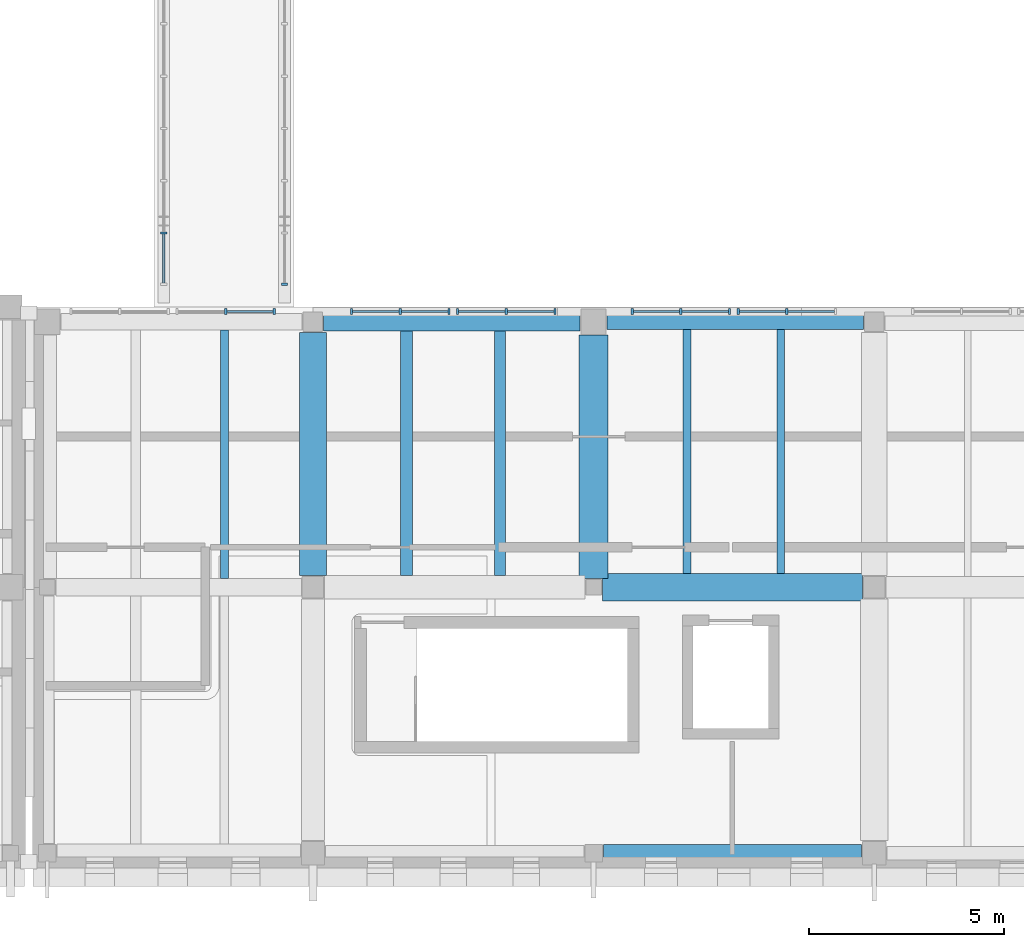
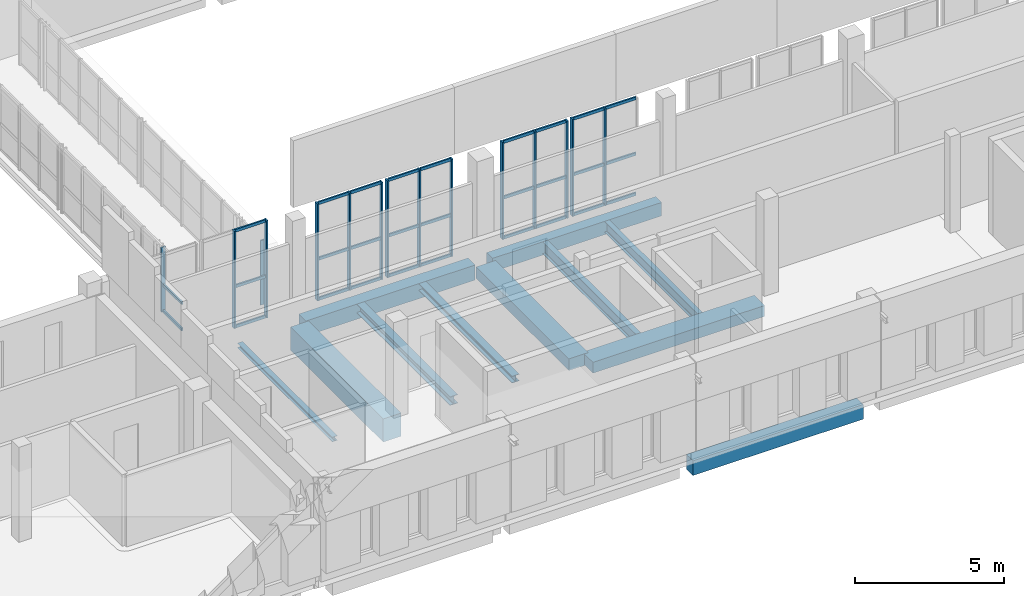
# One storey, part 11 of 76: 44 members, 11 beams, 7 elements without a shape of their own.
"""IFC4 building model written with IfcOpenShell, lengths in metres."""

from ifc_helpers import new_model, si_unit, direction, frame, origin, origin_2d, place, context, subcontext, project, spatial, rectangle, i_section, extrude, material, layer, layer_set, material_profile, profile_set, type_object, element, aggregate, save


model = new_model("IFC4")

# Units and contexts
model_context = context("Model", 3, precision=1e-05, world=origin(), true_north=direction((0.0, 1.0)))
body_context = subcontext(model_context, "Body", "Model", "MODEL_VIEW")
ifc_project = project(units=[si_unit("LENGTHUNIT", "METRE"), si_unit("AREAUNIT", "SQUARE_METRE"), si_unit("VOLUMEUNIT", "CUBIC_METRE"), si_unit("PLANEANGLEUNIT", "RADIAN"), si_unit("MASSUNIT", "GRAM", prefix="KILO")], contexts=[model_context])

# Site, building, storey
site_placement = place(None, origin())
site = spatial("IfcSite", under=ifc_project, at=site_placement, CompositionType="ELEMENT")
building_placement = place(site_placement, origin())
building = spatial("IfcBuilding", under=site, at=building_placement, Name="Vardoun Plaza Health Centre", CompositionType="ELEMENT")
storey_placement = place(building_placement, frame((0.0, 0.0, 4.5)))
storey = spatial("IfcBuildingStorey", under=building, at=storey_placement, Name="L01", CompositionType="ELEMENT", Elevation=4.5)

# Beams
ifc_material_1 = material(Name="Concrete C35/45", Category="concrete")
ifc_material_profile_1 = material_profile(ifc_material_1, rectangle(XDim=0.39990234375, YDim=0.550048828125, at=origin_2d()), Name="RC-BM 400x550")
ifc_profile_set_1 = profile_set([ifc_material_profile_1], Name="Concrete C35/45")
beam_type_1 = type_object("IfcBeamType", Name="B-09", PredefinedType="SPANDREL", material=ifc_profile_set_1)
beam_1_placement = place(storey_placement, frame((62.6298828125, 18.52001953125, -0.590087890625), z_axis=(1.0, 0.0, 0.0), x_axis=(0.0, 1.0, 0.0)))
element("IfcBeam", 1, at=beam_1_placement, inside=storey, type_object=beam_type_1, Name="V4 L01 Beam B-V4-L01-X09", PredefinedType="SPANDREL", context=body_context, shape_type="SweptSolid", body=[
    extrude(rectangle(XDim=0.39990234375, YDim=0.550048828125, at=origin_2d()), origin(), (0.0, 0.0, 1.0), 6.5751953125),
])
ifc_material_2 = material(Name="Concrete C35/45", Category="concrete")
ifc_material_profile_2 = material_profile(ifc_material_2, rectangle(XDim=0.449951171875, YDim=0.60009765625, at=origin_2d()), Name="RC-BM 450x600")
ifc_profile_set_2 = profile_set([ifc_material_profile_2], Name="Concrete C35/45")
beam_type_2 = type_object("IfcBeamType", Name="B-11", PredefinedType="SPANDREL", material=ifc_profile_set_2)
beam_2_placement = place(storey_placement, frame((62.530029296875, 4.8798828125, -0.614990234375), z_axis=(1.0, 0.0, 0.0), x_axis=(0.0, 1.0, 0.0)))
element("IfcBeam", 2, at=beam_2_placement, inside=storey, type_object=beam_type_2, Name="V4 L01 Beam B-V4-L01-X07", PredefinedType="SPANDREL", context=body_context, shape_type="SweptSolid", body=[
    extrude(rectangle(XDim=0.449951171875, YDim=0.60009765625, at=origin_2d()), origin(), (0.0, 0.0, 1.0), 6.625),
])
ifc_material_3 = material(Name="Concrete C35/45", Category="concrete")
ifc_material_profile_3 = material_profile(ifc_material_3, rectangle(XDim=0.47998046875, YDim=0.6201171875, at=origin_2d()), Name="RC-BM 480x620")
ifc_profile_set_3 = profile_set([ifc_material_profile_3], Name="Concrete C35/45")
beam_type_3 = type_object("IfcBeamType", Name="B-12", PredefinedType="SPANDREL", material=ifc_profile_set_3)
beam_3_placement = place(storey_placement, frame((55.35498046875, 18.52001953125, -0.625), z_axis=(1.0, 0.0, 0.0), x_axis=(0.0, 1.0, 0.0)))
element("IfcBeam", 3, at=beam_3_placement, inside=storey, type_object=beam_type_3, Name="V4 L01 Beam B-V4-L01-X06", PredefinedType="SPANDREL", context=body_context, shape_type="SweptSolid", body=[
    extrude(rectangle(XDim=0.47998046875, YDim=0.6201171875, at=origin_2d()), origin(), (0.0, 0.0, 1.0), 6.574951171875),
])
ifc_material_4 = material(Name="Concrete C35/45", Category="concrete")
ifc_material_profile_4 = material_profile(ifc_material_4, rectangle(XDim=0.699951171875, YDim=0.449951171875, at=origin_2d()), Name="RC-BM 700x450")
ifc_profile_set_4 = profile_set([ifc_material_profile_4], Name="Concrete C35/45")
beam_type_4 = type_object("IfcBeamType", Name="B-06", PredefinedType="BEAM", material=ifc_profile_set_4)
beam_4_placement = place(storey_placement, frame((62.5048828125, 11.699951171875, -0.5400390625), z_axis=(1.0, 0.0, 0.0), x_axis=(0.0, 1.0, 0.0)))
element("IfcBeam", 4, at=beam_4_placement, inside=storey, type_object=beam_type_4, Name="V4 L01 Beam B-V4-L01-X08", PredefinedType="BEAM", context=body_context, shape_type="SweptSolid", body=[
    extrude(rectangle(XDim=0.699951171875, YDim=0.449951171875, at=origin_2d()), origin(), (0.0, 0.0, 1.0), 6.675048828125),
])
ifc_material_5 = material(Name="Concrete C40/50", Category="concrete")
ifc_material_profile_5 = material_profile(ifc_material_5, rectangle(XDim=0.699951171875, YDim=0.949951171875, at=origin_2d()), Name="RC-BM 700x950")
ifc_profile_set_5 = profile_set([ifc_material_profile_5], Name="Concrete C40/50")
beam_type_5 = type_object("IfcBeamType", Name="B-16", PredefinedType="LINTEL", material=ifc_profile_set_5)
beam_5_placement = place(storey_placement, frame((55.080078125, 12.0, -0.7900390625), z_axis=(0.0, 1.0, 0.0), x_axis=(-1.0, 0.0, 0.0)))
element("IfcBeam", 5, at=beam_5_placement, inside=storey, type_object=beam_type_5, Name="V4 L01 Beam B-V4-L01-Y28", PredefinedType="LINTEL", context=body_context, shape_type="SweptSolid", body=[
    extrude(rectangle(XDim=0.699951171875, YDim=0.949951171875, at=origin_2d()), origin(), (0.0, 0.0, 1.0), 6.2451171875),
])
ifc_material_6 = material(Name="Concrete C35/45", Category="concrete")
ifc_material_profile_6 = material_profile(ifc_material_6, rectangle(XDim=0.75, YDim=0.47998046875, at=origin_2d()), Name="RC-BM 750x480")
ifc_profile_set_6 = profile_set([ifc_material_profile_6], Name="Concrete C35/45")
beam_type_6 = type_object("IfcBeamType", Name="B-07", PredefinedType="BEAM", material=ifc_profile_set_6)
beam_6_placement = place(storey_placement, frame((62.280029296875, 11.925048828125, -0.554931640625), z_axis=(0.0, 1.0, 0.0), x_axis=(-1.0, 0.0, 0.0)))
element("IfcBeam", 6, at=beam_6_placement, inside=storey, type_object=beam_type_6, Name="V4 L01 Beam B-V4-L01-Y29", PredefinedType="BEAM", context=body_context, shape_type="SweptSolid", body=[
    extrude(rectangle(XDim=0.75, YDim=0.47998046875, at=origin_2d()), origin(), (0.0, 0.0, 1.0), 6.244873046875),
])
ifc_material_7 = material(Name="Steel S355J2", Category="steel")
ifc_material_profile_7 = material_profile(ifc_material_7, i_section(OverallWidth=0.199951171875, OverallDepth=0.18994140625, WebThickness=0.006591796875, FlangeThickness=0.010009765625, FilletRadius=0.01806640625, at=origin_2d()), Name="HEA 200")
ifc_profile_set_7 = profile_set([ifc_material_profile_7], Name="Steel S355J2")
beam_type_7 = type_object("IfcBeamType", Name="SB-09", PredefinedType="BEAM", material=ifc_profile_set_7)
beam_7_placement = place(storey_placement, frame((52.806884765625, 11.925048828125, -0.409912109375), z_axis=(0.0, 1.0, 0.0), x_axis=(-1.0, 0.0, 0.0)))
element("IfcBeam", 7, at=beam_7_placement, inside=storey, type_object=beam_type_7, Name="V4 L01 Secondary Floor Beam SJ-V4-L01-04", PredefinedType="BEAM", context=body_context, shape_type="SweptSolid", body=[
    extrude(i_section(OverallWidth=0.199951171875, OverallDepth=0.18994140625, WebThickness=0.006591796875, FlangeThickness=0.010009765625, FilletRadius=0.01806640625, at=origin_2d()), origin(), (0.0, 0.0, 1.0), 6.385009765625),
])
ifc_material_8 = material(Name="Steel S355J2", Category="steel")
ifc_material_profile_8 = material_profile(ifc_material_8, i_section(OverallWidth=0.280029296875, OverallDepth=0.280029296875, WebThickness=0.010498046875, FlangeThickness=0.01806640625, FilletRadius=0.02392578125, at=origin_2d()), Name="HEB 280")
ifc_profile_set_8 = profile_set([ifc_material_profile_8], Name="Steel S355J2")
beam_type_8 = type_object("IfcBeamType", Name="SB-02", PredefinedType="BEAM", material=ifc_profile_set_8)
beam_8_placement = place(storey_placement, frame((59.88037109375, 12.0, -0.455078125), z_axis=(0.0, 1.0, 0.0), x_axis=(-1.0, 0.0, 0.0)))
element("IfcBeam", 8, at=beam_8_placement, inside=storey, type_object=beam_type_8, Name="V4 L01 Secondary Floor Beam SJ-V4-L01-06", PredefinedType="BEAM", context=body_context, shape_type="SweptSolid", body=[
    extrude(i_section(OverallWidth=0.280029296875, OverallDepth=0.280029296875, WebThickness=0.010498046875, FlangeThickness=0.01806640625, FilletRadius=0.02392578125, at=origin_2d()), origin(), (0.0, 0.0, 1.0), 6.280029296875),
])
ifc_material_9 = material(Name="Steel S355J2", Category="steel")
ifc_material_profile_9 = material_profile(ifc_material_9, i_section(OverallWidth=0.300048828125, OverallDepth=0.360107421875, WebThickness=0.012451171875, FlangeThickness=0.0224609375, FilletRadius=0.027099609375, at=origin_2d()), Name="HEB 360")
ifc_profile_set_9 = profile_set([ifc_material_profile_9], Name="Steel S355J2")
beam_type_9 = type_object("IfcBeamType", Name="RB-04", PredefinedType="BEAM", material=ifc_profile_set_9)
beam_9_placement = place(storey_placement, frame((57.479736328125, 12.0, -0.4951171875), z_axis=(0.0, 1.0, 0.0), x_axis=(-1.0, 0.0, 0.0)))
element("IfcBeam", 9, at=beam_9_placement, inside=storey, type_object=beam_type_9, Name="V4 L01 Secondary Floor Beam SJ-V4-L01-05", PredefinedType="BEAM", context=body_context, shape_type="SweptSolid", body=[
    extrude(i_section(OverallWidth=0.300048828125, OverallDepth=0.360107421875, WebThickness=0.012451171875, FlangeThickness=0.0224609375, FilletRadius=0.027099609375, at=origin_2d()), origin(), (0.0, 0.0, 1.0), 6.280029296875),
])
ifc_material_10 = material(Name="Steel S355J2", Category="steel")
ifc_material_profile_10 = material_profile(ifc_material_10, i_section(OverallWidth=0.18994140625, OverallDepth=0.449951171875, WebThickness=0.009521484375, FlangeThickness=0.0146484375, FilletRadius=0.02099609375, at=origin_2d()), Name="IPE 450")
ifc_profile_set_10 = profile_set([ifc_material_profile_10], Name="Steel S355J2")
beam_type_10 = type_object("IfcBeamType", Name="SB-11", PredefinedType="BEAM", material=ifc_profile_set_10)
beam_10_placement = place(storey_placement, frame((67.080078125, 12.050048828125, -0.5400390625), z_axis=(0.0, 1.0, 0.0), x_axis=(-1.0, 0.0, 0.0)))
element("IfcBeam", 10, at=beam_10_placement, inside=storey, type_object=beam_type_10, Name="V4 L01 Secondary Floor Beam SJ-V4-L01-08", PredefinedType="BEAM", context=body_context, shape_type="SweptSolid", body=[
    extrude(i_section(OverallWidth=0.18994140625, OverallDepth=0.449951171875, WebThickness=0.009521484375, FlangeThickness=0.0146484375, FilletRadius=0.02099609375, at=origin_2d()), origin(), (0.0, 0.0, 1.0), 6.27001953125),
])
ifc_material_11 = material(Name="Steel S355J2", Category="steel")
ifc_material_profile_11 = material_profile(ifc_material_11, i_section(OverallWidth=0.199951171875, OverallDepth=0.5, WebThickness=0.01025390625, FlangeThickness=0.01611328125, FilletRadius=0.02099609375, at=origin_2d()), Name="IPE 500")
ifc_profile_set_11 = profile_set([ifc_material_profile_11], Name="Steel S355J2")
beam_type_11 = type_object("IfcBeamType", Name="SB-10", PredefinedType="BEAM", material=ifc_profile_set_11)
beam_11_placement = place(storey_placement, frame((64.6796875, 12.050048828125, -0.56494140625), z_axis=(0.0, 1.0, 0.0), x_axis=(-1.0, 0.0, 0.0)))
element("IfcBeam", 11, at=beam_11_placement, inside=storey, type_object=beam_type_11, Name="V4 L01 Secondary Floor Beam SJ-V4-L01-07", PredefinedType="BEAM", context=body_context, shape_type="SweptSolid", body=[
    extrude(i_section(OverallWidth=0.199951171875, OverallDepth=0.5, WebThickness=0.01025390625, FlangeThickness=0.01611328125, FilletRadius=0.02099609375, at=origin_2d()), origin(), (0.0, 0.0, 1.0), 6.27001953125),
])

# Curtain wall, members
ifc_material_12 = material(Name="Aluminium Alloy EN AW-6063-T6 and Low-E Glass", Category="aluminium")
ifc_layer = layer(ifc_material_12, 0.14990234375)
ifc_layer_set = layer_set([ifc_layer], Name="Aluminium Alloy EN AW-6063-T6 and Low-E Glass")
curtain_wall_type = type_object("IfcCurtainWallType", Name="CW-03", PredefinedType="NOTDEFINED", material=ifc_layer_set)
curtain_wall_1_placement = place(storey_placement, origin())
curtain_wall_1 = element("IfcCurtainWall", 12, at=curtain_wall_1_placement, inside=storey, type_object=curtain_wall_type, Name="Curtain Wall CW-V4-118", PredefinedType="NOTDEFINED")
ifc_material_13 = material(Name="Aluminium Alloy EN AW-6063-T6", Category="aluminium")
ifc_material_profile_12 = material_profile(ifc_material_13, rectangle(XDim=0.159912109375, YDim=0.06005859375, at=origin_2d()), Name="CWM 60x160")
ifc_profile_set_12 = profile_set([ifc_material_profile_12], Name="Aluminium Alloy EN AW-6063-T6")
member_type_1 = type_object("IfcMemberType", Name="CW-M1", PredefinedType="MULLION", material=ifc_profile_set_12)
member_1_placement = place(storey_placement, frame((52.840087890625, 18.780029296875, 0.0), z_axis=(0.0, 0.0, 1.0), x_axis=(0.0, 1.0, 0.0)))
member_1 = element("IfcMember", 13, at=member_1_placement, type_object=member_type_1, Name="CW-V4-118 mullion 2", PredefinedType="MULLION", context=body_context, shape_type="SweptSolid", body=[
    extrude(rectangle(XDim=0.159912109375, YDim=0.06005859375, at=origin_2d()), origin(), (0.0, 0.0, 1.0), 3.9951171875),
])
member_2_placement = place(storey_placement, frame((54.090087890625, 18.780029296875, 0.0), z_axis=(0.0, 0.0, 1.0), x_axis=(0.0, 1.0, 0.0)))
member_2 = element("IfcMember", 14, at=member_2_placement, type_object=member_type_1, Name="CW-V4-118 mullion 3", PredefinedType="MULLION", context=body_context, shape_type="SweptSolid", body=[
    extrude(rectangle(XDim=0.159912109375, YDim=0.06005859375, at=origin_2d()), origin(), (0.0, 0.0, 1.0), 3.9951171875),
])

curtain_wall_2_placement = place(storey_placement, origin())
curtain_wall_2 = element("IfcCurtainWall", 15, at=curtain_wall_2_placement, inside=storey, type_object=curtain_wall_type, Name="Curtain Wall CW-V4-119", PredefinedType="NOTDEFINED")
member_3_placement = place(storey_placement, frame((56.070068359375, 18.780029296875, 0.0), z_axis=(0.0, 0.0, 1.0), x_axis=(0.0, 1.0, 0.0)))
member_3 = element("IfcMember", 16, at=member_3_placement, type_object=member_type_1, Name="CW-V4-119 mullion 1", PredefinedType="MULLION", context=body_context, shape_type="SweptSolid", body=[
    extrude(rectangle(XDim=0.159912109375, YDim=0.06005859375, at=origin_2d()), origin(), (0.0, 0.0, 1.0), 3.9951171875),
])
member_4_placement = place(storey_placement, frame((57.320068359375, 18.780029296875, 0.0), z_axis=(0.0, 0.0, 1.0), x_axis=(0.0, 1.0, 0.0)))
member_4 = element("IfcMember", 17, at=member_4_placement, type_object=member_type_1, Name="CW-V4-119 mullion 2", PredefinedType="MULLION", context=body_context, shape_type="SweptSolid", body=[
    extrude(rectangle(XDim=0.159912109375, YDim=0.06005859375, at=origin_2d()), origin(), (0.0, 0.0, 1.0), 3.9951171875),
])
member_5_placement = place(storey_placement, frame((58.570068359375, 18.780029296875, 0.0), z_axis=(0.0, 0.0, 1.0), x_axis=(0.0, 1.0, 0.0)))
member_5 = element("IfcMember", 18, at=member_5_placement, type_object=member_type_1, Name="CW-V4-119 mullion 3", PredefinedType="MULLION", context=body_context, shape_type="SweptSolid", body=[
    extrude(rectangle(XDim=0.159912109375, YDim=0.06005859375, at=origin_2d()), origin(), (0.0, 0.0, 1.0), 3.9951171875),
])

curtain_wall_3_placement = place(storey_placement, origin())
curtain_wall_3 = element("IfcCurtainWall", 19, at=curtain_wall_3_placement, inside=storey, type_object=curtain_wall_type, Name="Curtain Wall CW-V4-120", PredefinedType="NOTDEFINED")
member_6_placement = place(storey_placement, frame((58.7900390625, 18.780029296875, 0.0), z_axis=(0.0, 0.0, 1.0), x_axis=(0.0, 1.0, 0.0)))
member_6 = element("IfcMember", 20, at=member_6_placement, type_object=member_type_1, Name="CW-V4-120 mullion 1", PredefinedType="MULLION", context=body_context, shape_type="SweptSolid", body=[
    extrude(rectangle(XDim=0.159912109375, YDim=0.06005859375, at=origin_2d()), origin(), (0.0, 0.0, 1.0), 3.9951171875),
])
member_7_placement = place(storey_placement, frame((60.0400390625, 18.780029296875, 0.0), z_axis=(0.0, 0.0, 1.0), x_axis=(0.0, 1.0, 0.0)))
member_7 = element("IfcMember", 21, at=member_7_placement, type_object=member_type_1, Name="CW-V4-120 mullion 2", PredefinedType="MULLION", context=body_context, shape_type="SweptSolid", body=[
    extrude(rectangle(XDim=0.159912109375, YDim=0.06005859375, at=origin_2d()), origin(), (0.0, 0.0, 1.0), 3.9951171875),
])
member_8_placement = place(storey_placement, frame((61.2900390625, 18.780029296875, 0.0), z_axis=(0.0, 0.0, 1.0), x_axis=(0.0, 1.0, 0.0)))
member_8 = element("IfcMember", 22, at=member_8_placement, type_object=member_type_1, Name="CW-V4-120 mullion 3", PredefinedType="MULLION", context=body_context, shape_type="SweptSolid", body=[
    extrude(rectangle(XDim=0.159912109375, YDim=0.06005859375, at=origin_2d()), origin(), (0.0, 0.0, 1.0), 3.9951171875),
])

curtain_wall_4_placement = place(storey_placement, origin())
curtain_wall_4 = element("IfcCurtainWall", 23, at=curtain_wall_4_placement, inside=storey, type_object=curtain_wall_type, Name="Curtain Wall CW-V4-121", PredefinedType="NOTDEFINED")
member_9_placement = place(storey_placement, frame((63.27001953125, 18.780029296875, 0.0), z_axis=(0.0, 0.0, 1.0), x_axis=(0.0, 1.0, 0.0)))
member_9 = element("IfcMember", 24, at=member_9_placement, type_object=member_type_1, Name="CW-V4-121 mullion 1", PredefinedType="MULLION", context=body_context, shape_type="SweptSolid", body=[
    extrude(rectangle(XDim=0.159912109375, YDim=0.06005859375, at=origin_2d()), origin(), (0.0, 0.0, 1.0), 3.9951171875),
])
member_10_placement = place(storey_placement, frame((64.52001953125, 18.780029296875, 0.0), z_axis=(0.0, 0.0, 1.0), x_axis=(0.0, 1.0, 0.0)))
member_10 = element("IfcMember", 25, at=member_10_placement, type_object=member_type_1, Name="CW-V4-121 mullion 2", PredefinedType="MULLION", context=body_context, shape_type="SweptSolid", body=[
    extrude(rectangle(XDim=0.159912109375, YDim=0.06005859375, at=origin_2d()), origin(), (0.0, 0.0, 1.0), 3.9951171875),
])
member_11_placement = place(storey_placement, frame((65.77001953125, 18.780029296875, 0.0), z_axis=(0.0, 0.0, 1.0), x_axis=(0.0, 1.0, 0.0)))
member_11 = element("IfcMember", 26, at=member_11_placement, type_object=member_type_1, Name="CW-V4-121 mullion 3", PredefinedType="MULLION", context=body_context, shape_type="SweptSolid", body=[
    extrude(rectangle(XDim=0.159912109375, YDim=0.06005859375, at=origin_2d()), origin(), (0.0, 0.0, 1.0), 3.9951171875),
])

curtain_wall_5_placement = place(storey_placement, origin())
curtain_wall_5 = element("IfcCurtainWall", 27, at=curtain_wall_5_placement, inside=storey, type_object=curtain_wall_type, Name="Curtain Wall CW-V4-122", PredefinedType="NOTDEFINED")
member_12_placement = place(storey_placement, frame((65.989990234375, 18.780029296875, 0.0), z_axis=(0.0, 0.0, 1.0), x_axis=(0.0, 1.0, 0.0)))
member_12 = element("IfcMember", 28, at=member_12_placement, type_object=member_type_1, Name="CW-V4-122 mullion 1", PredefinedType="MULLION", context=body_context, shape_type="SweptSolid", body=[
    extrude(rectangle(XDim=0.159912109375, YDim=0.06005859375, at=origin_2d()), origin(), (0.0, 0.0, 1.0), 3.9951171875),
])
member_13_placement = place(storey_placement, frame((67.239990234375, 18.780029296875, 0.0), z_axis=(0.0, 0.0, 1.0), x_axis=(0.0, 1.0, 0.0)))
member_13 = element("IfcMember", 29, at=member_13_placement, type_object=member_type_1, Name="CW-V4-122 mullion 2", PredefinedType="MULLION", context=body_context, shape_type="SweptSolid", body=[
    extrude(rectangle(XDim=0.159912109375, YDim=0.06005859375, at=origin_2d()), origin(), (0.0, 0.0, 1.0), 3.9951171875),
])

# Curtain wall, member
curtain_wall_6_placement = place(storey_placement, origin())
curtain_wall_6 = element("IfcCurtainWall", 30, at=curtain_wall_6_placement, inside=storey, type_object=curtain_wall_type, Name="Curtain Wall CW-BR-6WS", PredefinedType="NOTDEFINED")
member_14_placement = place(storey_placement, frame((51.25, 20.791748046875, 0.0), z_axis=(0.0, 0.0, 1.0), x_axis=(-1.0, 0.0, 0.0)))
member_14 = element("IfcMember", 31, at=member_14_placement, type_object=member_type_1, Name="CW-BR-6WS mullion 2", PredefinedType="MULLION", context=body_context, shape_type="SweptSolid", body=[
    extrude(rectangle(XDim=0.159912109375, YDim=0.06005859375, at=origin_2d()), origin(), (0.0, 0.0, 1.0), 2.64990234375),
])

curtain_wall_7_placement = place(storey_placement, origin())
curtain_wall_7 = element("IfcCurtainWall", 32, at=curtain_wall_7_placement, inside=storey, type_object=curtain_wall_type, Name="Curtain Wall CW-BR-6ES", PredefinedType="NOTDEFINED")
member_15_placement = place(storey_placement, frame((54.35009765625, 19.47998046875, 0.0), z_axis=(0.0, 0.0, 1.0), x_axis=(1.0, 0.0, 0.0)))
member_15 = element("IfcMember", 33, at=member_15_placement, type_object=member_type_1, Name="CW-BR-6ES mullion 7", PredefinedType="MULLION", context=body_context, shape_type="SweptSolid", body=[
    extrude(rectangle(XDim=0.159912109375, YDim=0.06005859375, at=origin_2d()), origin(), (0.0, 0.0, 1.0), 2.64990234375),
])
aggregate(curtain_wall_7, [member_15])

# Member
ifc_material_14 = material(Name="Aluminium Alloy EN AW-6063-T6", Category="aluminium")
ifc_material_profile_13 = material_profile(ifc_material_14, rectangle(XDim=0.06005859375, YDim=0.1201171875, at=origin_2d()), Name="CWT 60x120")
ifc_profile_set_13 = profile_set([ifc_material_profile_13], Name="Aluminium Alloy EN AW-6063-T6")
member_type_2 = type_object("IfcMemberType", Name="CW-T1", PredefinedType="USERDEFINED", material=ifc_profile_set_13)
member_16_placement = place(storey_placement, frame((52.8701171875, 18.780029296875, 0.030029296875), z_axis=(1.0, 0.0, 0.0), x_axis=(0.0, 1.0, 0.0)))
member_16 = element("IfcMember", 34, at=member_16_placement, type_object=member_type_2, Name="CW-V4-118 transom 2.1", ObjectType="TRANSOM", PredefinedType="USERDEFINED", context=body_context, shape_type="SweptSolid", body=[
    extrude(rectangle(XDim=0.06005859375, YDim=0.1201171875, at=origin_2d()), origin(), (0.0, 0.0, 1.0), 1.18994140625),
])

member_17_placement = place(storey_placement, frame((52.8701171875, 18.780029296875, 1.677978515625), z_axis=(1.0, 0.0, 0.0), x_axis=(0.0, 1.0, 0.0)))
member_17 = element("IfcMember", 35, at=member_17_placement, type_object=member_type_2, Name="CW-V4-118 transom 2.2", ObjectType="TRANSOM", PredefinedType="USERDEFINED", context=body_context, shape_type="SweptSolid", body=[
    extrude(rectangle(XDim=0.06005859375, YDim=0.1201171875, at=origin_2d()), origin(), (0.0, 0.0, 1.0), 1.18994140625),
])

member_18_placement = place(storey_placement, frame((52.8701171875, 18.780029296875, 3.965087890625), z_axis=(1.0, 0.0, 0.0), x_axis=(0.0, 1.0, 0.0)))
member_18 = element("IfcMember", 36, at=member_18_placement, type_object=member_type_2, Name="CW-V4-118 transom 2.3", ObjectType="TRANSOM", PredefinedType="USERDEFINED", context=body_context, shape_type="SweptSolid", body=[
    extrude(rectangle(XDim=0.06005859375, YDim=0.1201171875, at=origin_2d()), origin(), (0.0, 0.0, 1.0), 1.18994140625),
])

aggregate(curtain_wall_1, [member_1, member_2, member_16, member_17, member_18])

member_19_placement = place(storey_placement, frame((56.10009765625, 18.780029296875, 0.030029296875), z_axis=(1.0, 0.0, 0.0), x_axis=(0.0, 1.0, 0.0)))
member_19 = element("IfcMember", 37, at=member_19_placement, type_object=member_type_2, Name="CW-V4-119 transom 1.1", ObjectType="TRANSOM", PredefinedType="USERDEFINED", context=body_context, shape_type="SweptSolid", body=[
    extrude(rectangle(XDim=0.06005859375, YDim=0.1201171875, at=origin_2d()), origin(), (0.0, 0.0, 1.0), 1.18994140625),
])

member_20_placement = place(storey_placement, frame((56.10009765625, 18.780029296875, 1.677978515625), z_axis=(1.0, 0.0, 0.0), x_axis=(0.0, 1.0, 0.0)))
member_20 = element("IfcMember", 38, at=member_20_placement, type_object=member_type_2, Name="CW-V4-119 transom 1.2", ObjectType="TRANSOM", PredefinedType="USERDEFINED", context=body_context, shape_type="SweptSolid", body=[
    extrude(rectangle(XDim=0.06005859375, YDim=0.1201171875, at=origin_2d()), origin(), (0.0, 0.0, 1.0), 1.18994140625),
])

member_21_placement = place(storey_placement, frame((56.10009765625, 18.780029296875, 3.965087890625), z_axis=(1.0, 0.0, 0.0), x_axis=(0.0, 1.0, 0.0)))
member_21 = element("IfcMember", 39, at=member_21_placement, type_object=member_type_2, Name="CW-V4-119 transom 1.3", ObjectType="TRANSOM", PredefinedType="USERDEFINED", context=body_context, shape_type="SweptSolid", body=[
    extrude(rectangle(XDim=0.06005859375, YDim=0.1201171875, at=origin_2d()), origin(), (0.0, 0.0, 1.0), 1.18994140625),
])

member_22_placement = place(storey_placement, frame((57.35009765625, 18.780029296875, 0.030029296875), z_axis=(1.0, 0.0, 0.0), x_axis=(0.0, 1.0, 0.0)))
member_22 = element("IfcMember", 40, at=member_22_placement, type_object=member_type_2, Name="CW-V4-119 transom 2.1", ObjectType="TRANSOM", PredefinedType="USERDEFINED", context=body_context, shape_type="SweptSolid", body=[
    extrude(rectangle(XDim=0.06005859375, YDim=0.1201171875, at=origin_2d()), origin(), (0.0, 0.0, 1.0), 1.18994140625),
])

member_23_placement = place(storey_placement, frame((57.35009765625, 18.780029296875, 1.677978515625), z_axis=(1.0, 0.0, 0.0), x_axis=(0.0, 1.0, 0.0)))
member_23 = element("IfcMember", 41, at=member_23_placement, type_object=member_type_2, Name="CW-V4-119 transom 2.2", ObjectType="TRANSOM", PredefinedType="USERDEFINED", context=body_context, shape_type="SweptSolid", body=[
    extrude(rectangle(XDim=0.06005859375, YDim=0.1201171875, at=origin_2d()), origin(), (0.0, 0.0, 1.0), 1.18994140625),
])

member_24_placement = place(storey_placement, frame((57.35009765625, 18.780029296875, 3.965087890625), z_axis=(1.0, 0.0, 0.0), x_axis=(0.0, 1.0, 0.0)))
member_24 = element("IfcMember", 42, at=member_24_placement, type_object=member_type_2, Name="CW-V4-119 transom 2.3", ObjectType="TRANSOM", PredefinedType="USERDEFINED", context=body_context, shape_type="SweptSolid", body=[
    extrude(rectangle(XDim=0.06005859375, YDim=0.1201171875, at=origin_2d()), origin(), (0.0, 0.0, 1.0), 1.18994140625),
])

aggregate(curtain_wall_2, [member_3, member_4, member_5, member_19, member_20, member_21, member_22, member_23, member_24])

member_25_placement = place(storey_placement, frame((58.820068359375, 18.780029296875, 0.030029296875), z_axis=(1.0, 0.0, 0.0), x_axis=(0.0, 1.0, 0.0)))
member_25 = element("IfcMember", 43, at=member_25_placement, type_object=member_type_2, Name="CW-V4-120 transom 1.1", ObjectType="TRANSOM", PredefinedType="USERDEFINED", context=body_context, shape_type="SweptSolid", body=[
    extrude(rectangle(XDim=0.06005859375, YDim=0.1201171875, at=origin_2d()), origin(), (0.0, 0.0, 1.0), 1.18994140625),
])

member_26_placement = place(storey_placement, frame((58.820068359375, 18.780029296875, 1.677978515625), z_axis=(1.0, 0.0, 0.0), x_axis=(0.0, 1.0, 0.0)))
member_26 = element("IfcMember", 44, at=member_26_placement, type_object=member_type_2, Name="CW-V4-120 transom 1.2", ObjectType="TRANSOM", PredefinedType="USERDEFINED", context=body_context, shape_type="SweptSolid", body=[
    extrude(rectangle(XDim=0.06005859375, YDim=0.1201171875, at=origin_2d()), origin(), (0.0, 0.0, 1.0), 1.18994140625),
])

member_27_placement = place(storey_placement, frame((58.820068359375, 18.780029296875, 3.965087890625), z_axis=(1.0, 0.0, 0.0), x_axis=(0.0, 1.0, 0.0)))
member_27 = element("IfcMember", 45, at=member_27_placement, type_object=member_type_2, Name="CW-V4-120 transom 1.3", ObjectType="TRANSOM", PredefinedType="USERDEFINED", context=body_context, shape_type="SweptSolid", body=[
    extrude(rectangle(XDim=0.06005859375, YDim=0.1201171875, at=origin_2d()), origin(), (0.0, 0.0, 1.0), 1.18994140625),
])

member_28_placement = place(storey_placement, frame((60.070068359375, 18.780029296875, 0.030029296875), z_axis=(1.0, 0.0, 0.0), x_axis=(0.0, 1.0, 0.0)))
member_28 = element("IfcMember", 46, at=member_28_placement, type_object=member_type_2, Name="CW-V4-120 transom 2.1", ObjectType="TRANSOM", PredefinedType="USERDEFINED", context=body_context, shape_type="SweptSolid", body=[
    extrude(rectangle(XDim=0.06005859375, YDim=0.1201171875, at=origin_2d()), origin(), (0.0, 0.0, 1.0), 1.18994140625),
])

member_29_placement = place(storey_placement, frame((60.070068359375, 18.780029296875, 1.677978515625), z_axis=(1.0, 0.0, 0.0), x_axis=(0.0, 1.0, 0.0)))
member_29 = element("IfcMember", 47, at=member_29_placement, type_object=member_type_2, Name="CW-V4-120 transom 2.2", ObjectType="TRANSOM", PredefinedType="USERDEFINED", context=body_context, shape_type="SweptSolid", body=[
    extrude(rectangle(XDim=0.06005859375, YDim=0.1201171875, at=origin_2d()), origin(), (0.0, 0.0, 1.0), 1.18994140625),
])

member_30_placement = place(storey_placement, frame((60.070068359375, 18.780029296875, 3.965087890625), z_axis=(1.0, 0.0, 0.0), x_axis=(0.0, 1.0, 0.0)))
member_30 = element("IfcMember", 48, at=member_30_placement, type_object=member_type_2, Name="CW-V4-120 transom 2.3", ObjectType="TRANSOM", PredefinedType="USERDEFINED", context=body_context, shape_type="SweptSolid", body=[
    extrude(rectangle(XDim=0.06005859375, YDim=0.1201171875, at=origin_2d()), origin(), (0.0, 0.0, 1.0), 1.18994140625),
])

aggregate(curtain_wall_3, [member_6, member_7, member_8, member_25, member_26, member_27, member_28, member_29, member_30])

member_31_placement = place(storey_placement, frame((63.300048828125, 18.780029296875, 0.030029296875), z_axis=(1.0, 0.0, 0.0), x_axis=(0.0, 1.0, 0.0)))
member_31 = element("IfcMember", 49, at=member_31_placement, type_object=member_type_2, Name="CW-V4-121 transom 1.1", ObjectType="TRANSOM", PredefinedType="USERDEFINED", context=body_context, shape_type="SweptSolid", body=[
    extrude(rectangle(XDim=0.06005859375, YDim=0.1201171875, at=origin_2d()), origin(), (0.0, 0.0, 1.0), 1.18994140625),
])

member_32_placement = place(storey_placement, frame((63.300048828125, 18.780029296875, 1.677978515625), z_axis=(1.0, 0.0, 0.0), x_axis=(0.0, 1.0, 0.0)))
member_32 = element("IfcMember", 50, at=member_32_placement, type_object=member_type_2, Name="CW-V4-121 transom 1.2", ObjectType="TRANSOM", PredefinedType="USERDEFINED", context=body_context, shape_type="SweptSolid", body=[
    extrude(rectangle(XDim=0.06005859375, YDim=0.1201171875, at=origin_2d()), origin(), (0.0, 0.0, 1.0), 1.18994140625),
])

member_33_placement = place(storey_placement, frame((63.300048828125, 18.780029296875, 3.965087890625), z_axis=(1.0, 0.0, 0.0), x_axis=(0.0, 1.0, 0.0)))
member_33 = element("IfcMember", 51, at=member_33_placement, type_object=member_type_2, Name="CW-V4-121 transom 1.3", ObjectType="TRANSOM", PredefinedType="USERDEFINED", context=body_context, shape_type="SweptSolid", body=[
    extrude(rectangle(XDim=0.06005859375, YDim=0.1201171875, at=origin_2d()), origin(), (0.0, 0.0, 1.0), 1.18994140625),
])

member_34_placement = place(storey_placement, frame((64.550048828125, 18.780029296875, 0.030029296875), z_axis=(1.0, 0.0, 0.0), x_axis=(0.0, 1.0, 0.0)))
member_34 = element("IfcMember", 52, at=member_34_placement, type_object=member_type_2, Name="CW-V4-121 transom 2.1", ObjectType="TRANSOM", PredefinedType="USERDEFINED", context=body_context, shape_type="SweptSolid", body=[
    extrude(rectangle(XDim=0.06005859375, YDim=0.1201171875, at=origin_2d()), origin(), (0.0, 0.0, 1.0), 1.18994140625),
])

member_35_placement = place(storey_placement, frame((64.550048828125, 18.780029296875, 1.677978515625), z_axis=(1.0, 0.0, 0.0), x_axis=(0.0, 1.0, 0.0)))
member_35 = element("IfcMember", 53, at=member_35_placement, type_object=member_type_2, Name="CW-V4-121 transom 2.2", ObjectType="TRANSOM", PredefinedType="USERDEFINED", context=body_context, shape_type="SweptSolid", body=[
    extrude(rectangle(XDim=0.06005859375, YDim=0.1201171875, at=origin_2d()), origin(), (0.0, 0.0, 1.0), 1.18994140625),
])

member_36_placement = place(storey_placement, frame((64.550048828125, 18.780029296875, 3.965087890625), z_axis=(1.0, 0.0, 0.0), x_axis=(0.0, 1.0, 0.0)))
member_36 = element("IfcMember", 54, at=member_36_placement, type_object=member_type_2, Name="CW-V4-121 transom 2.3", ObjectType="TRANSOM", PredefinedType="USERDEFINED", context=body_context, shape_type="SweptSolid", body=[
    extrude(rectangle(XDim=0.06005859375, YDim=0.1201171875, at=origin_2d()), origin(), (0.0, 0.0, 1.0), 1.18994140625),
])

aggregate(curtain_wall_4, [member_9, member_10, member_11, member_31, member_32, member_33, member_34, member_35, member_36])

member_37_placement = place(storey_placement, frame((66.02001953125, 18.780029296875, 0.030029296875), z_axis=(1.0, 0.0, 0.0), x_axis=(0.0, 1.0, 0.0)))
member_37 = element("IfcMember", 55, at=member_37_placement, type_object=member_type_2, Name="CW-V4-122 transom 1.1", ObjectType="TRANSOM", PredefinedType="USERDEFINED", context=body_context, shape_type="SweptSolid", body=[
    extrude(rectangle(XDim=0.06005859375, YDim=0.1201171875, at=origin_2d()), origin(), (0.0, 0.0, 1.0), 1.18994140625),
])

member_38_placement = place(storey_placement, frame((66.02001953125, 18.780029296875, 1.677978515625), z_axis=(1.0, 0.0, 0.0), x_axis=(0.0, 1.0, 0.0)))
member_38 = element("IfcMember", 56, at=member_38_placement, type_object=member_type_2, Name="CW-V4-122 transom 1.2", ObjectType="TRANSOM", PredefinedType="USERDEFINED", context=body_context, shape_type="SweptSolid", body=[
    extrude(rectangle(XDim=0.06005859375, YDim=0.1201171875, at=origin_2d()), origin(), (0.0, 0.0, 1.0), 1.18994140625),
])

member_39_placement = place(storey_placement, frame((66.02001953125, 18.780029296875, 3.965087890625), z_axis=(1.0, 0.0, 0.0), x_axis=(0.0, 1.0, 0.0)))
member_39 = element("IfcMember", 57, at=member_39_placement, type_object=member_type_2, Name="CW-V4-122 transom 1.3", ObjectType="TRANSOM", PredefinedType="USERDEFINED", context=body_context, shape_type="SweptSolid", body=[
    extrude(rectangle(XDim=0.06005859375, YDim=0.1201171875, at=origin_2d()), origin(), (0.0, 0.0, 1.0), 1.18994140625),
])

member_40_placement = place(storey_placement, frame((67.27001953125, 18.780029296875, 0.030029296875), z_axis=(1.0, 0.0, 0.0), x_axis=(0.0, 1.0, 0.0)))
member_40 = element("IfcMember", 58, at=member_40_placement, type_object=member_type_2, Name="CW-V4-122 transom 2.1", ObjectType="TRANSOM", PredefinedType="USERDEFINED", context=body_context, shape_type="SweptSolid", body=[
    extrude(rectangle(XDim=0.06005859375, YDim=0.1201171875, at=origin_2d()), origin(), (0.0, 0.0, 1.0), 1.18994140625),
])

member_41_placement = place(storey_placement, frame((67.27001953125, 18.780029296875, 1.677978515625), z_axis=(1.0, 0.0, 0.0), x_axis=(0.0, 1.0, 0.0)))
member_41 = element("IfcMember", 59, at=member_41_placement, type_object=member_type_2, Name="CW-V4-122 transom 2.2", ObjectType="TRANSOM", PredefinedType="USERDEFINED", context=body_context, shape_type="SweptSolid", body=[
    extrude(rectangle(XDim=0.06005859375, YDim=0.1201171875, at=origin_2d()), origin(), (0.0, 0.0, 1.0), 1.18994140625),
])

member_42_placement = place(storey_placement, frame((67.27001953125, 18.780029296875, 3.965087890625), z_axis=(1.0, 0.0, 0.0), x_axis=(0.0, 1.0, 0.0)))
member_42 = element("IfcMember", 60, at=member_42_placement, type_object=member_type_2, Name="CW-V4-122 transom 2.3", ObjectType="TRANSOM", PredefinedType="USERDEFINED", context=body_context, shape_type="SweptSolid", body=[
    extrude(rectangle(XDim=0.06005859375, YDim=0.1201171875, at=origin_2d()), origin(), (0.0, 0.0, 1.0), 1.18994140625),
])

aggregate(curtain_wall_5, [member_12, member_13, member_37, member_38, member_39, member_40, member_41, member_42])

member_43_placement = place(storey_placement, frame((51.25, 19.510009765625, 0.030029296875), z_axis=(0.0, 1.0, 0.0), x_axis=(-1.0, 0.0, 0.0)))
member_43 = element("IfcMember", 61, at=member_43_placement, type_object=member_type_2, Name="CW-BR-6WS transom 1.1", ObjectType="TRANSOM", PredefinedType="USERDEFINED", context=body_context, shape_type="SweptSolid", body=[
    extrude(rectangle(XDim=0.06005859375, YDim=0.1201171875, at=origin_2d()), origin(), (0.0, 0.0, 1.0), 1.251708984375),
])

member_44_placement = place(storey_placement, frame((51.25, 19.510009765625, 1.113037109375), z_axis=(0.0, 1.0, 0.0), x_axis=(-1.0, 0.0, 0.0)))
member_44 = element("IfcMember", 62, at=member_44_placement, type_object=member_type_2, Name="CW-BR-6WS transom 1.2", ObjectType="TRANSOM", PredefinedType="USERDEFINED", context=body_context, shape_type="SweptSolid", body=[
    extrude(rectangle(XDim=0.06005859375, YDim=0.1201171875, at=origin_2d()), origin(), (0.0, 0.0, 1.0), 1.251708984375),
])

aggregate(curtain_wall_6, [member_14, member_43, member_44])

save(model, "model.ifc")
